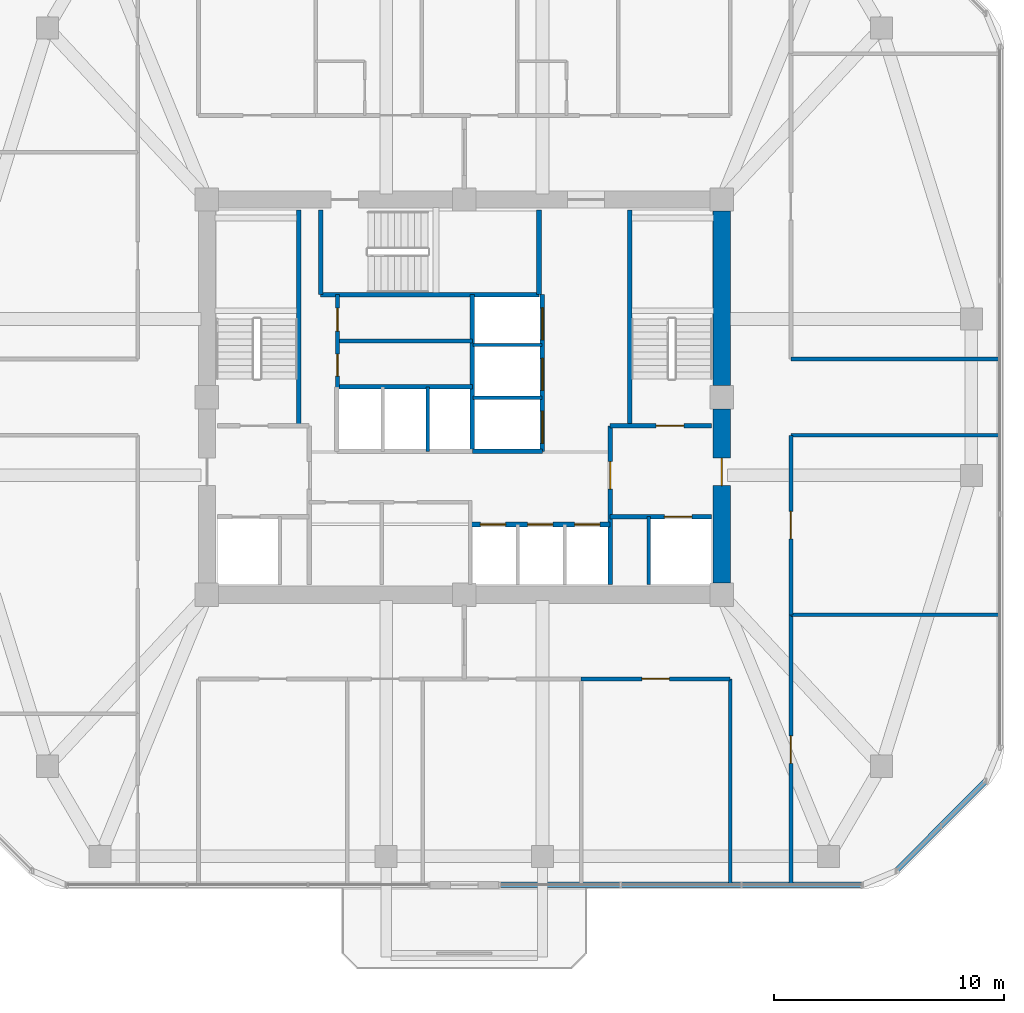
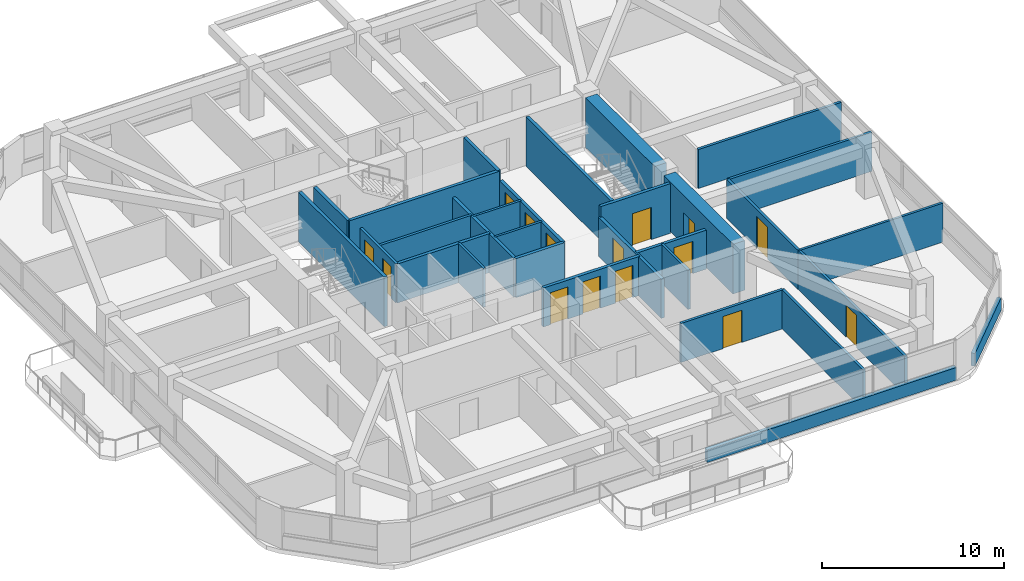
# One storey, part 8 of 12: 30 walls, 15 doors, 15 openings.
"""IFC4 building model written with IfcOpenShell, lengths in metres."""

from ifc_helpers import new_model, si_unit, derived_unit, direction, frame, frame_2d, origin, place, context, subcontext, project, spatial, rectangle, extrude, material, layer, layer_set, type_object, element, fill, save


model = new_model("IFC4")

# Units and contexts
model_context = context("Model", 3, precision=1e-05, world=origin(), true_north=direction((0.0, 1.0)))
body_context = subcontext(model_context, "Body", "Model", "MODEL_VIEW")
ifc_project = project(units=[si_unit("LENGTHUNIT", "METRE"), si_unit("AREAUNIT", "SQUARE_METRE"), si_unit("VOLUMEUNIT", "CUBIC_METRE"), si_unit("PLANEANGLEUNIT", "RADIAN"), si_unit("MASSUNIT", "GRAM", prefix="KILO"), derived_unit("THERMALTRANSMITTANCEUNIT", [(si_unit("POWERUNIT", "WATT"), 1), (si_unit("LENGTHUNIT", "METRE"), -2), (si_unit("THERMODYNAMICTEMPERATUREUNIT", "KELVIN"), -1)])], contexts=[model_context])

# Site, building, storey
site_placement = place(None, origin())
site = spatial("IfcSite", under=ifc_project, at=site_placement, CompositionType="ELEMENT")
building_placement = place(site_placement, origin())
building = spatial("IfcBuilding", under=site, at=building_placement, Name="Koralith Skygarden Medical Center", CompositionType="ELEMENT")
storey_placement = place(building_placement, frame((0.0, 0.0, 134.820068359375)))
storey = spatial("IfcBuildingStorey", under=building, at=storey_placement, Name="L34", CompositionType="ELEMENT", Elevation=134.820068359375)

# Walls
ifc_material_1 = material(Name="Gypsum Board Partition")
ifc_layer_1 = layer(ifc_material_1, 0.14990234375)
ifc_layer_set_1 = layer_set([ifc_layer_1], Name="Gypsum Board Partition")
wall_type_1 = type_object("IfcWallType", Name="Clinical Acoustic Partition 150", PredefinedType="PARTITIONING", material=ifc_layer_set_1)
wall_1_placement = place(storey_placement, frame((51.2099609375, 16.424072265625, 0.0), z_axis=(0.0, 0.0, 1.0), x_axis=(1.0, 0.0, 0.0)))
element("IfcWall", 1, at=wall_1_placement, inside=storey, type_object=wall_type_1, Name="L34 Clinical Acoustic Partition 150 W-PART-L34-ES-01", PredefinedType="PARTITIONING", context=body_context, shape_type="SweptSolid", body=[
    extrude(rectangle(XDim=9.073974609375, YDim=0.14990234375, at=frame_2d((4.537109375, 0.0))), origin(), (0.0, 0.0, 1.0), 2.60986328125),
])
ifc_layer_2 = layer(ifc_material_1, 0.1650390625)
ifc_layer_set_2 = layer_set([ifc_layer_2], Name="Gypsum Board Partition")
wall_type_2 = type_object("IfcWallType", Name="Clinical Corridor Partition 165", PredefinedType="PARTITIONING", material=ifc_layer_set_2)
wall_2_placement = place(storey_placement, frame((48.570068359375, 4.699951171875, 0.0), z_axis=(0.0, 0.0, 1.0), x_axis=(0.0, 1.0, 0.0)))
element("IfcWall", 2, at=wall_2_placement, inside=storey, type_object=wall_type_2, Name="L34 Clinical Corridor Partition 165 W-HCOR-L34-SE", PredefinedType="PARTITIONING", context=body_context, shape_type="SweptSolid", body=[
    extrude(rectangle(XDim=8.93994140625, YDim=0.1650390625, at=frame_2d((4.469970703125, 0.0))), origin(), (0.0, 0.0, 1.0), 2.60986328125),
])
for number, where, z_axis, x_axis, name in (
    (3, (51.2099609375, 24.239990234375, 0.0), (0.0, 0.0, 1.0), (1.0, 0.0, 0.0), "L34 Clinical Corridor Partition 165 W-HCOR-L34-EWS-E"),
    (4, (51.2099609375, 27.56005859375, 0.0), (0.0, 0.0, 1.0), (1.0, 0.0, 0.0), "L34 Clinical Corridor Partition 165 W-HCOR-L34-EWN-E"),
):
    element("IfcWall", number, at=place(storey_placement, frame(where, z_axis=z_axis, x_axis=x_axis)), inside=storey, type_object=wall_type_2, Name=name, PredefinedType="PARTITIONING", context=body_context, shape_type="SweptSolid", body=[
        extrude(rectangle(XDim=9.073974609375, YDim=0.1650390625, at=frame_2d((4.537109375, 0.0))), origin(), (0.0, 0.0, 1.0), 2.60986328125),
    ])

# Wall, opening, door
wall_3_placement = place(storey_placement, frame((42.0859375, 13.639892578125, 0.0), z_axis=(0.0, 0.0, 1.0), x_axis=(1.0, 0.0, 0.0)))
wall_3 = element("IfcWall", 5, at=wall_3_placement, inside=storey, type_object=wall_type_2, Name="L34 Clinical Corridor Partition 165 W-CORR-L34-S-04", PredefinedType="PARTITIONING", context=body_context, shape_type="SweptSolid", body=[
    extrude(rectangle(XDim=6.484130859375, YDim=0.1650390625, at=frame_2d((3.2421875, 0.0))), origin(), (0.0, 0.0, 1.0), 2.60986328125),
])
opening_1_placement = place(wall_3_placement, frame((2.64208984375, 0.0, 0.0)))
opening_1 = element("IfcOpeningElement", 6, at=opening_1_placement, cuts=wall_3, Name="Opening D-CLN", PredefinedType="OPENING", context=body_context, shape_type="SweptSolid", body=[
    extrude(rectangle(XDim=1.199951171875, YDim=2.14990234375, at=frame_2d((0.60009765625, 1.074951171875))), frame((0.0, 0.092529296875, 0.0), z_axis=(0.0, -1.0, 0.0), x_axis=(1.0, 0.0, 0.0)), (0.0, 0.0, 1.0), 0.18505859375),
])
ifc_material_2 = material(Name="Aluminium 6063-T6", Category="aluminium")
door_type_1 = type_object("IfcDoorType", Name="Clinical Corridor Door D-CLN 1200", OperationType="NOTDEFINED", PredefinedType="DOOR", material=ifc_material_2)
door_1_placement = place(opening_1_placement, frame((1.199951171875, 0.0, 0.0), z_axis=(0.0, 0.0, 1.0), x_axis=(-1.0, 0.0, 0.0)))
door_1 = element("IfcDoor", 7, at=door_1_placement, inside=storey, type_object=door_type_1, Name="L34 Wound Care Treatment Room 09 Door", OperationType="SINGLE_SWING_RIGHT", OverallHeight=2.14990234375, OverallWidth=1.199951171875, PredefinedType="DOOR", context=body_context, shape_type="SweptSolid", body=[
    extrude(rectangle(XDim=1.199951171875, YDim=2.14990234375, at=frame_2d((0.60009765625, 1.074951171875))), frame((0.0, 0.02490234375, 0.0), z_axis=(0.0, -1.0, 0.0), x_axis=(1.0, 0.0, 0.0)), (0.0, 0.0, 1.0), 0.050048828125),
])
fill(opening_1, door_1)

wall_4_placement = place(storey_placement, frame((51.2099609375, 4.699951171875, 0.0), z_axis=(0.0, 0.0, 1.0), x_axis=(0.0, 1.0, 0.0)))
wall_4 = element("IfcWall", 8, at=wall_4_placement, inside=storey, type_object=wall_type_2, Name="L34 Clinical Corridor Partition 165 W-CORR-L34-ES-01", PredefinedType="PARTITIONING", context=body_context, shape_type="SweptSolid", body=[
    extrude(rectangle(XDim=11.72412109375, YDim=0.1650390625, at=frame_2d((5.862060546875, 0.0))), origin(), (0.0, 0.0, 1.0), 2.60986328125),
])
opening_2_placement = place(wall_4_placement, frame((5.261962890625, 0.0, 0.0)))
opening_2 = element("IfcOpeningElement", 9, at=opening_2_placement, cuts=wall_4, Name="Opening D-CLN", PredefinedType="OPENING", context=body_context, shape_type="SweptSolid", body=[
    extrude(rectangle(XDim=1.199951171875, YDim=2.14990234375, at=frame_2d((0.60009765625, 1.074951171875))), frame((0.0, 0.092529296875, 0.0), z_axis=(0.0, -1.0, 0.0), x_axis=(1.0, 0.0, 0.0)), (0.0, 0.0, 1.0), 0.18505859375),
])
door_2_placement = place(opening_2_placement, origin())
door_2 = element("IfcDoor", 10, at=door_2_placement, inside=storey, type_object=door_type_1, Name="L34 Acute Nurse Station 14 Door", OperationType="SINGLE_SWING_LEFT", OverallHeight=2.14990234375, OverallWidth=1.199951171875, PredefinedType="DOOR", context=body_context, shape_type="SweptSolid", body=[
    extrude(rectangle(XDim=1.199951171875, YDim=2.14990234375, at=frame_2d((0.60009765625, 1.074951171875))), frame((0.0, 0.02490234375, 0.0), z_axis=(0.0, -1.0, 0.0), x_axis=(1.0, 0.0, 0.0)), (0.0, 0.0, 1.0), 0.050048828125),
])
fill(opening_2, door_2)

wall_5_placement = place(storey_placement, frame((51.2099609375, 16.424072265625, 0.0), z_axis=(0.0, 0.0, 1.0), x_axis=(0.0, 1.0, 0.0)))
wall_5 = element("IfcWall", 11, at=wall_5_placement, inside=storey, type_object=wall_type_2, Name="L34 Clinical Corridor Partition 165 W-CORR-L34-ES-02", PredefinedType="PARTITIONING", context=body_context, shape_type="SweptSolid", body=[
    extrude(rectangle(XDim=7.81591796875, YDim=0.1650390625, at=frame_2d((3.907958984375, 0.0))), origin(), (0.0, 0.0, 1.0), 2.60986328125),
])
opening_3_placement = place(wall_5_placement, frame((3.30810546875, 0.0, 0.0)))
opening_3 = element("IfcOpeningElement", 12, at=opening_3_placement, cuts=wall_5, Name="Opening D-CLN", PredefinedType="OPENING", context=body_context, shape_type="SweptSolid", body=[
    extrude(rectangle(XDim=1.199951171875, YDim=2.14990234375, at=frame_2d((0.60009765625, 1.074951171875))), frame((0.0, 0.092529296875, 0.0), z_axis=(0.0, -1.0, 0.0), x_axis=(1.0, 0.0, 0.0)), (0.0, 0.0, 1.0), 0.18505859375),
])
door_3_placement = place(opening_3_placement, origin())
door_3 = element("IfcDoor", 13, at=door_3_placement, inside=storey, type_object=door_type_1, Name="L34 Clinical Consultation Office 15 Door", OperationType="SINGLE_SWING_RIGHT", OverallHeight=2.14990234375, OverallWidth=1.199951171875, PredefinedType="DOOR", context=body_context, shape_type="SweptSolid", body=[
    extrude(rectangle(XDim=1.199951171875, YDim=2.14990234375, at=frame_2d((0.60009765625, 1.074951171875))), frame((0.0, 0.02490234375, 0.0), z_axis=(0.0, -1.0, 0.0), x_axis=(1.0, 0.0, 0.0)), (0.0, 0.0, 1.0), 0.050048828125),
])
fill(opening_3, door_3)

ifc_layer_3 = layer(ifc_material_1, 0.199951171875)
ifc_layer_set_3 = layer_set([ifc_layer_3], Name="Gypsum Board Partition")
wall_type_3 = type_object("IfcWallType", Name="Fire Shaft Wall 200", PredefinedType="SOLIDWALL", material=ifc_layer_set_3)
wall_6_placement = place(storey_placement, frame((43.35009765625, 20.699951171875, 0.0), z_axis=(0.0, 0.0, 1.0), x_axis=(1.0, 0.0, 0.0)))
wall_6 = element("IfcWall", 14, at=wall_6_placement, inside=storey, type_object=wall_type_3, Name="L34 Fire Shaft Wall 200 W-CORE-L34-FF2-N", PredefinedType="SOLIDWALL", context=body_context, shape_type="SweptSolid", body=[
    extrude(rectangle(XDim=4.39990234375, YDim=0.199951171875, at=frame_2d((2.199951171875, 0.0))), origin(), (0.0, 0.0, 1.0), 2.60986328125),
])
opening_4_placement = place(wall_6_placement, frame((2.35009765625, 0.0, 0.0)))
opening_4 = element("IfcOpeningElement", 15, at=opening_4_placement, cuts=wall_6, Name="Opening LD-FF", PredefinedType="OPENING", context=body_context, shape_type="SweptSolid", body=[
    extrude(rectangle(XDim=1.199951171875, YDim=2.14990234375, at=frame_2d((0.60009765625, 1.074951171875))), frame((0.0, 0.10986328125, 0.0), z_axis=(0.0, -1.0, 0.0), x_axis=(1.0, 0.0, 0.0)), (0.0, 0.0, 1.0), 0.219970703125),
])
ifc_material_3 = material(Name="Steel ASTM A500 Grade C", Category="steel")
door_type_2 = type_object("IfcDoorType", Name="Fire Lift Sliding Landing Door LD-FF 1200", OperationType="NOTDEFINED", PredefinedType="DOOR", material=ifc_material_3)
door_4_placement = place(opening_4_placement, origin())
door_4 = element("IfcDoor", 16, at=door_4_placement, inside=storey, type_object=door_type_2, Name="L34 Fire Service Elevator FF2 Landing Door", OperationType="SLIDING_TO_RIGHT", OverallHeight=2.14990234375, OverallWidth=1.199951171875, PredefinedType="DOOR", context=body_context, shape_type="SweptSolid", body=[
    extrude(rectangle(XDim=1.199951171875, YDim=2.14990234375, at=frame_2d((0.60009765625, 1.074951171875))), frame((0.0, 0.02490234375, 0.0), z_axis=(0.0, -1.0, 0.0), x_axis=(1.0, 0.0, 0.0)), (0.0, 0.0, 1.0), 0.050048828125),
])
fill(opening_4, door_4)

wall_7_placement = place(storey_placement, frame((43.35009765625, 17.75, 0.0), z_axis=(0.0, 0.0, 1.0), x_axis=(0.0, 1.0, 0.0)))
wall_7 = element("IfcWall", 17, at=wall_7_placement, inside=storey, type_object=wall_type_3, Name="L34 Fire Shaft Wall 200 W-CORE-L34-FSAEE-W", PredefinedType="SOLIDWALL", context=body_context, shape_type="SweptSolid", body=[
    extrude(rectangle(XDim=6.89990234375, YDim=0.199951171875, at=frame_2d((3.449951171875, 0.0))), origin(), (0.0, 0.0, 1.0), 2.60986328125),
])
opening_5_placement = place(wall_7_placement, frame((4.14990234375, 0.0, 0.0)))
opening_5 = element("IfcOpeningElement", 18, at=opening_5_placement, cuts=wall_7, Name="Opening D-ST60", PredefinedType="OPENING", context=body_context, shape_type="SweptSolid", body=[
    extrude(rectangle(XDim=1.199951171875, YDim=2.14990234375, at=frame_2d((0.60009765625, 1.074951171875))), frame((0.0, 0.10986328125, 0.0), z_axis=(0.0, -1.0, 0.0), x_axis=(1.0, 0.0, 0.0)), (0.0, 0.0, 1.0), 0.219970703125),
])
door_type_3 = type_object("IfcDoorType", Name="Smokeproof Stair Fire Door FD60S 1200", OperationType="NOTDEFINED", PredefinedType="DOOR", material=ifc_material_3)
door_5_placement = place(opening_5_placement, frame((1.199951171875, 0.0, 0.0), z_axis=(0.0, 0.0, 1.0), x_axis=(-1.0, 0.0, 0.0)))
door_5 = element("IfcDoor", 19, at=door_5_placement, inside=storey, type_object=door_type_3, Name="L34 East Firefighting Lobby Inner Fire Door", OperationType="SINGLE_SWING_RIGHT", OverallHeight=2.14990234375, OverallWidth=1.199951171875, PredefinedType="DOOR", context=body_context, shape_type="SweptSolid", body=[
    extrude(rectangle(XDim=1.199951171875, YDim=2.14990234375, at=frame_2d((0.60009765625, 1.074951171875))), frame((0.0, 0.02490234375, 0.0), z_axis=(0.0, -1.0, 0.0), x_axis=(1.0, 0.0, 0.0)), (0.0, 0.0, 1.0), 0.050048828125),
])
fill(opening_5, door_5)

# Wall, openings, doors
wall_8_placement = place(storey_placement, frame((37.25, 20.360107421875, 0.0), z_axis=(0.0, 0.0, 1.0), x_axis=(1.0, 0.0, 0.0)))
wall_8 = element("IfcWall", 20, at=wall_8_placement, inside=storey, type_object=wall_type_3, Name="L34 Fire Shaft Wall 200 W-CORE-L34-PM-N", PredefinedType="SOLIDWALL", context=body_context, shape_type="SweptSolid", body=[
    extrude(rectangle(XDim=6.10009765625, YDim=0.199951171875, at=frame_2d((3.050048828125, 0.0))), origin(), (0.0, 0.0, 1.0), 2.60986328125),
])
opening_6_placement = place(wall_8_placement, frame((0.449951171875, 0.0, 0.0)))
opening_6 = element("IfcOpeningElement", 21, at=opening_6_placement, cuts=wall_8, Name="Opening LD-P", PredefinedType="OPENING", context=body_context, shape_type="SweptSolid", body=[
    extrude(rectangle(XDim=1.10009765625, YDim=2.14990234375, at=frame_2d((0.550048828125, 1.074951171875))), frame((0.0, 0.10986328125, 0.0), z_axis=(0.0, -1.0, 0.0), x_axis=(1.0, 0.0, 0.0)), (0.0, 0.0, 1.0), 0.219970703125),
])
opening_7_placement = place(wall_8_placement, frame((2.5, 0.0, 0.0)))
opening_7 = element("IfcOpeningElement", 22, at=opening_7_placement, cuts=wall_8, Name="Opening LD-P", PredefinedType="OPENING", context=body_context, shape_type="SweptSolid", body=[
    extrude(rectangle(XDim=1.10009765625, YDim=2.14990234375, at=frame_2d((0.550048828125, 1.074951171875))), frame((0.0, 0.10986328125, 0.0), z_axis=(0.0, -1.0, 0.0), x_axis=(1.0, 0.0, 0.0)), (0.0, 0.0, 1.0), 0.219970703125),
])
opening_8_placement = place(wall_8_placement, frame((4.550048828125, 0.0, 0.0)))
opening_8 = element("IfcOpeningElement", 23, at=opening_8_placement, cuts=wall_8, Name="Opening LD-P", PredefinedType="OPENING", context=body_context, shape_type="SweptSolid", body=[
    extrude(rectangle(XDim=1.10009765625, YDim=2.14990234375, at=frame_2d((0.550048828125, 1.074951171875))), frame((0.0, 0.10986328125, 0.0), z_axis=(0.0, -1.0, 0.0), x_axis=(1.0, 0.0, 0.0)), (0.0, 0.0, 1.0), 0.219970703125),
])
door_type_4 = type_object("IfcDoorType", Name="Passenger Lift Sliding Landing Door LD-P 1100", OperationType="NOTDEFINED", PredefinedType="DOOR", material=ifc_material_3)
door_6_placement = place(opening_6_placement, origin())
door_6 = element("IfcDoor", 24, at=door_6_placement, inside=storey, type_object=door_type_4, Name="L34 Passenger Elevator PM1 Landing Door", OperationType="SLIDING_TO_LEFT", OverallHeight=2.14990234375, OverallWidth=1.10009765625, PredefinedType="DOOR", context=body_context, shape_type="SweptSolid", body=[
    extrude(rectangle(XDim=1.10009765625, YDim=2.14990234375, at=frame_2d((0.550048828125, 1.074951171875))), frame((0.0, 0.02490234375, 0.0), z_axis=(0.0, -1.0, 0.0), x_axis=(1.0, 0.0, 0.0)), (0.0, 0.0, 1.0), 0.050048828125),
])
fill(opening_6, door_6)
door_7_placement = place(opening_7_placement, origin())
door_7 = element("IfcDoor", 25, at=door_7_placement, inside=storey, type_object=door_type_4, Name="L34 Passenger Elevator PM2 Landing Door", OperationType="SLIDING_TO_LEFT", OverallHeight=2.14990234375, OverallWidth=1.10009765625, PredefinedType="DOOR", context=body_context, shape_type="SweptSolid", body=[
    extrude(rectangle(XDim=1.10009765625, YDim=2.14990234375, at=frame_2d((0.550048828125, 1.074951171875))), frame((0.0, 0.02490234375, 0.0), z_axis=(0.0, -1.0, 0.0), x_axis=(1.0, 0.0, 0.0)), (0.0, 0.0, 1.0), 0.050048828125),
])
fill(opening_7, door_7)
door_8_placement = place(opening_8_placement, origin())
door_8 = element("IfcDoor", 26, at=door_8_placement, inside=storey, type_object=door_type_4, Name="L34 Passenger Elevator PM3 Landing Door", OperationType="SLIDING_TO_LEFT", OverallHeight=2.14990234375, OverallWidth=1.10009765625, PredefinedType="DOOR", context=body_context, shape_type="SweptSolid", body=[
    extrude(rectangle(XDim=1.10009765625, YDim=2.14990234375, at=frame_2d((0.550048828125, 1.074951171875))), frame((0.0, 0.02490234375, 0.0), z_axis=(0.0, -1.0, 0.0), x_axis=(1.0, 0.0, 0.0)), (0.0, 0.0, 1.0), 0.050048828125),
])
fill(opening_8, door_8)

# Walls
wall_9_placement = place(storey_placement, frame((31.449951171875, 26.35009765625, 0.0), z_axis=(0.0, 0.0, 1.0), x_axis=(1.0, 0.0, 0.0)))
element("IfcWall", 27, at=wall_9_placement, inside=storey, type_object=wall_type_3, Name="L34 Fire Shaft Wall 200 W-CORE-L34-PH-N", PredefinedType="SOLIDWALL", context=body_context, shape_type="SweptSolid", body=[
    extrude(rectangle(XDim=5.900146484375, YDim=0.199951171875, at=frame_2d((2.9501953125, 0.0))), origin(), (0.0, 0.0, 1.0), 2.60986328125),
])
wall_10_placement = place(storey_placement, frame((37.35009765625, 23.5400390625, 0.0), z_axis=(0.0, 0.0, 1.0), x_axis=(0.0, 1.0, 0.0)))
element("IfcWall", 28, at=wall_10_placement, inside=storey, type_object=wall_type_3, Name="L34 Fire Shaft Wall 200 W-CORE-L34-SV-W", PredefinedType="SOLIDWALL", context=body_context, shape_type="SweptSolid", body=[
    extrude(rectangle(XDim=6.820068359375, YDim=0.199951171875, at=frame_2d((3.41015625, 0.0))), origin(), (0.0, 0.0, 1.0), 2.60986328125),
])
wall_11_placement = place(storey_placement, frame((37.35009765625, 23.5400390625, 0.0), z_axis=(0.0, 0.0, 1.0), x_axis=(1.0, 0.0, 0.0)))
element("IfcWall", 29, at=wall_11_placement, inside=storey, type_object=wall_type_3, Name="L34 Fire Shaft Wall 200 W-CORE-L34-SV-S", PredefinedType="SOLIDWALL", context=body_context, shape_type="SweptSolid", body=[
    extrude(rectangle(XDim=3.0498046875, YDim=0.199951171875, at=frame_2d((1.52490234375, 0.0))), origin(), (0.0, 0.0, 1.0), 2.60986328125),
])

# Wall, openings, doors
wall_12_placement = place(storey_placement, frame((40.39990234375, 23.5400390625, 0.0), z_axis=(0.0, 0.0, 1.0), x_axis=(0.0, 1.0, 0.0)))
wall_12 = element("IfcWall", 30, at=wall_12_placement, inside=storey, type_object=wall_type_3, Name="L34 Fire Shaft Wall 200 W-CORE-L34-SV-E", PredefinedType="SOLIDWALL", context=body_context, shape_type="SweptSolid", body=[
    extrude(rectangle(XDim=6.820068359375, YDim=0.199951171875, at=frame_2d((3.41015625, 0.0))), origin(), (0.0, 0.0, 1.0), 2.60986328125),
])
opening_9_placement = place(wall_12_placement, frame((0.35009765625, 0.0, 0.0)))
opening_9 = element("IfcOpeningElement", 31, at=opening_9_placement, cuts=wall_12, Name="Opening LD-SV", PredefinedType="OPENING", context=body_context, shape_type="SweptSolid", body=[
    extrude(rectangle(XDim=1.39990234375, YDim=2.199951171875, at=frame_2d((0.699951171875, 1.10009765625))), frame((0.0, 0.10986328125, 0.0), z_axis=(0.0, -1.0, 0.0), x_axis=(1.0, 0.0, 0.0)), (0.0, 0.0, 1.0), 0.219970703125),
])
opening_10_placement = place(wall_12_placement, frame((2.64990234375, 0.0, 0.0)))
opening_10 = element("IfcOpeningElement", 32, at=opening_10_placement, cuts=wall_12, Name="Opening LD-SV", PredefinedType="OPENING", context=body_context, shape_type="SweptSolid", body=[
    extrude(rectangle(XDim=1.39990234375, YDim=2.199951171875, at=frame_2d((0.699951171875, 1.10009765625))), frame((0.0, 0.10986328125, 0.0), z_axis=(0.0, -1.0, 0.0), x_axis=(1.0, 0.0, 0.0)), (0.0, 0.0, 1.0), 0.219970703125),
])
opening_11_placement = place(wall_12_placement, frame((4.85009765625, 0.0, 0.0)))
opening_11 = element("IfcOpeningElement", 33, at=opening_11_placement, cuts=wall_12, Name="Opening LD-SV", PredefinedType="OPENING", context=body_context, shape_type="SweptSolid", body=[
    extrude(rectangle(XDim=1.39990234375, YDim=2.199951171875, at=frame_2d((0.699951171875, 1.10009765625))), frame((0.0, 0.10986328125, 0.0), z_axis=(0.0, -1.0, 0.0), x_axis=(1.0, 0.0, 0.0)), (0.0, 0.0, 1.0), 0.219970703125),
])
door_type_5 = type_object("IfcDoorType", Name="Bed Lift Sliding Landing Door LD-SV 1400", OperationType="NOTDEFINED", PredefinedType="DOOR", material=ifc_material_3)
door_9_placement = place(opening_9_placement, origin())
door_9 = element("IfcDoor", 34, at=door_9_placement, inside=storey, type_object=door_type_5, Name="L34 Bed Elevator BD1 Landing Door", OperationType="SLIDING_TO_LEFT", OverallHeight=2.199951171875, OverallWidth=1.39990234375, PredefinedType="DOOR", context=body_context, shape_type="SweptSolid", body=[
    extrude(rectangle(XDim=1.39990234375, YDim=2.199951171875, at=frame_2d((0.699951171875, 1.10009765625))), frame((0.0, 0.02490234375, 0.0), z_axis=(0.0, -1.0, 0.0), x_axis=(1.0, 0.0, 0.0)), (0.0, 0.0, 1.0), 0.050048828125),
])
fill(opening_9, door_9)
door_10_placement = place(opening_10_placement, origin())
door_10 = element("IfcDoor", 35, at=door_10_placement, inside=storey, type_object=door_type_5, Name="L34 Service Elevator BD2 Landing Door", OperationType="SLIDING_TO_LEFT", OverallHeight=2.199951171875, OverallWidth=1.39990234375, PredefinedType="DOOR", context=body_context, shape_type="SweptSolid", body=[
    extrude(rectangle(XDim=1.39990234375, YDim=2.199951171875, at=frame_2d((0.699951171875, 1.10009765625))), frame((0.0, 0.02490234375, 0.0), z_axis=(0.0, -1.0, 0.0), x_axis=(1.0, 0.0, 0.0)), (0.0, 0.0, 1.0), 0.050048828125),
])
fill(opening_10, door_10)
door_11_placement = place(opening_11_placement, origin())
door_11 = element("IfcDoor", 36, at=door_11_placement, inside=storey, type_object=door_type_5, Name="L34 Trauma Elevator TR1 Landing Door", OperationType="SLIDING_TO_RIGHT", OverallHeight=2.199951171875, OverallWidth=1.39990234375, PredefinedType="DOOR", context=body_context, shape_type="SweptSolid", body=[
    extrude(rectangle(XDim=1.39990234375, YDim=2.199951171875, at=frame_2d((0.699951171875, 1.10009765625))), frame((0.0, 0.02490234375, 0.0), z_axis=(0.0, -1.0, 0.0), x_axis=(1.0, 0.0, 0.0)), (0.0, 0.0, 1.0), 0.050048828125),
])
fill(opening_11, door_11)

# Walls
ifc_material_4 = material(Name="Warm Oolitic Limestone Cladding", Category="masonry")
ifc_layer_4 = layer(ifc_material_4, 0.239990234375)
ifc_layer_set_4 = layer_set([ifc_layer_4], Name="Warm Oolitic Limestone Cladding")
wall_type_4 = type_object("IfcWallType", Name="Limestone Spandrel Sill Backup Wall 240", PredefinedType="SOLIDWALL", material=ifc_layer_set_4)
wall_13_placement = place(storey_placement, frame((38.5390625, 4.679931640625, 0.0), z_axis=(0.0, 0.0, 1.0), x_axis=(1.0, 0.0, 0.0)))
element("IfcWall", 37, at=wall_13_placement, inside=storey, type_object=wall_type_4, Name="L34 Sill Spandrel S-R", PredefinedType="SOLIDWALL", context=body_context, shape_type="SweptSolid", body=[
    extrude(rectangle(XDim=15.7900390625, YDim=0.239990234375, at=frame_2d((7.89501953125, 0.0))), origin(), (0.0, 0.0, 1.0), 0.849853515625),
])
wall_14_placement = place(storey_placement, frame((55.780029296875, 5.281005859375, 0.0), z_axis=(0.0, 0.0, 1.0), x_axis=(0.707084777957, 0.707128783731, 0.0)))
element("IfcWall", 38, at=wall_14_placement, inside=storey, type_object=wall_type_4, Name="L34 Sill Spandrel SE", PredefinedType="SOLIDWALL", context=body_context, shape_type="SweptSolid", body=[
    extrude(rectangle(XDim=5.5478515625, YDim=0.239990234375, at=frame_2d((2.77392578125, 0.0))), origin(), (0.0, 0.0, 1.0), 0.849853515625),
])

# Wall, opening, door
ifc_material_5 = material(Name="Concrete C70/85", Category="concrete")
ifc_layer_5 = layer(ifc_material_5, 0.75)
ifc_layer_set_5 = layer_set([ifc_layer_5], Name="Concrete C70/85")
wall_type_5 = type_object("IfcWallType", Name="Mid Core Shear Wall 750", PredefinedType="SHEAR", material=ifc_layer_set_5)
wall_15_placement = place(storey_placement, frame((48.199951171875, 17.804931640625, 0.0), z_axis=(0.0, 0.0, 1.0), x_axis=(0.0, 1.0, 0.0)))
wall_15 = element("IfcWall", 39, at=wall_15_placement, inside=storey, type_object=wall_type_5, Name="L34 Core Shear Wall Segment 3", PredefinedType="SHEAR", context=body_context, shape_type="SweptSolid", body=[
    extrude(rectangle(XDim=7.590087890625, YDim=0.75, at=frame_2d((3.794921875, 0.0))), origin(), (0.0, 0.0, 1.0), 3.31982421875),
])
opening_12_placement = place(wall_15_placement, frame((4.2451171875, 0.0, 0.0)))
opening_12 = element("IfcOpeningElement", 40, at=opening_12_placement, cuts=wall_15, Name="Opening D-ST60", PredefinedType="OPENING", context=body_context, shape_type="SweptSolid", body=[
    extrude(rectangle(XDim=1.199951171875, YDim=2.14990234375, at=frame_2d((0.60009765625, 1.074951171875))), frame((0.0, 0.385009765625, 0.0), z_axis=(0.0, -1.0, 0.0), x_axis=(1.0, 0.0, 0.0)), (0.0, 0.0, 1.0), 0.77001953125),
])
door_12_placement = place(opening_12_placement, frame((1.199951171875, 0.0, 0.0), z_axis=(0.0, 0.0, 1.0), x_axis=(-1.0, 0.0, 0.0)))
door_12 = element("IfcDoor", 41, at=door_12_placement, inside=storey, type_object=door_type_3, Name="L34 East Corridor to Firefighting Lobby Door", OperationType="SINGLE_SWING_RIGHT", OverallHeight=2.14990234375, OverallWidth=1.199951171875, PredefinedType="DOOR", context=body_context, shape_type="SweptSolid", body=[
    extrude(rectangle(XDim=1.199951171875, YDim=2.14990234375, at=frame_2d((0.60009765625, 1.074951171875))), frame((0.0, 0.02490234375, 0.0), z_axis=(0.0, -1.0, 0.0), x_axis=(1.0, 0.0, 0.0)), (0.0, 0.0, 1.0), 0.050048828125),
])
fill(opening_12, door_12)

# Wall
wall_16_placement = place(storey_placement, frame((48.199951171875, 26.405029296875, 0.0), z_axis=(0.0, 0.0, 1.0), x_axis=(0.0, 1.0, 0.0)))
element("IfcWall", 42, at=wall_16_placement, inside=storey, type_object=wall_type_5, Name="L34 Core Shear Wall Segment 4", PredefinedType="SHEAR", context=body_context, shape_type="SweptSolid", body=[
    extrude(rectangle(XDim=7.590087890625, YDim=0.75, at=frame_2d((3.794921875, 0.0))), origin(), (0.0, 0.0, 1.0), 3.31982421875),
])

# Wall, openings, doors
ifc_layer_6 = layer(ifc_material_1, 0.1650390625)
ifc_layer_set_6 = layer_set([ifc_layer_6], Name="Gypsum Board Partition")
wall_type_6 = type_object("IfcWallType", Name="Plumbing Wet Wall 165", PredefinedType="PLUMBINGWALL", material=ifc_layer_set_6)
wall_17_placement = place(storey_placement, frame((31.47998046875, 26.320068359375, 0.0), z_axis=(0.0, 0.0, 1.0), x_axis=(0.0, 1.0, 0.0)))
wall_17 = element("IfcWall", 43, at=wall_17_placement, inside=storey, type_object=wall_type_6, Name="L34 Plumbing Wet Wall 165 W-CORE-L34-FLEX-W", PredefinedType="PLUMBINGWALL", context=body_context, shape_type="SweptSolid", body=[
    extrude(rectangle(XDim=4.0400390625, YDim=0.1650390625, at=frame_2d((2.02001953125, 0.0))), origin(), (0.0, 0.0, 1.0), 2.60986328125),
])
opening_13_placement = place(wall_17_placement, frame((0.5, 0.0, 0.0)))
opening_13 = element("IfcOpeningElement", 44, at=opening_13_placement, cuts=wall_17, Name="Opening D-WC", PredefinedType="OPENING", context=body_context, shape_type="SweptSolid", body=[
    extrude(rectangle(XDim=0.949951171875, YDim=2.10009765625, at=frame_2d((0.47509765625, 1.050048828125))), frame((0.0, 0.092529296875, 0.0), z_axis=(0.0, -1.0, 0.0), x_axis=(1.0, 0.0, 0.0)), (0.0, 0.0, 1.0), 0.18505859375),
])
opening_14_placement = place(wall_17_placement, frame((2.449951171875, 0.0, 0.0)))
opening_14 = element("IfcOpeningElement", 45, at=opening_14_placement, cuts=wall_17, Name="Opening D-SUP", PredefinedType="OPENING", context=body_context, shape_type="SweptSolid", body=[
    extrude(rectangle(XDim=1.0, YDim=2.14990234375, at=frame_2d((0.5, 1.074951171875))), frame((0.0, 0.092529296875, 0.0), z_axis=(0.0, -1.0, 0.0), x_axis=(1.0, 0.0, 0.0)), (0.0, 0.0, 1.0), 0.18505859375),
])
door_type_6 = type_object("IfcDoorType", Name="Accessible Toilet Door D-WC 950", OperationType="NOTDEFINED", PredefinedType="DOOR", material=ifc_material_2)
door_13_placement = place(opening_13_placement, frame((0.949951171875, 0.0, 0.0), z_axis=(0.0, 0.0, 1.0), x_axis=(-1.0, 0.0, 0.0)))
door_13 = element("IfcDoor", 46, at=door_13_placement, inside=storey, type_object=door_type_6, Name="L34 Core Accessible WC Door", OperationType="SINGLE_SWING_LEFT", OverallHeight=2.10009765625, OverallWidth=0.949951171875, PredefinedType="DOOR", context=body_context, shape_type="SweptSolid", body=[
    extrude(rectangle(XDim=0.949951171875, YDim=2.10009765625, at=frame_2d((0.47509765625, 1.050048828125))), frame((0.0, 0.02490234375, 0.0), z_axis=(0.0, -1.0, 0.0), x_axis=(1.0, 0.0, 0.0)), (0.0, 0.0, 1.0), 0.050048828125),
])
fill(opening_13, door_13)
door_type_7 = type_object("IfcDoorType", Name="Clinical Support Door D-SUP 1000", OperationType="NOTDEFINED", PredefinedType="DOOR", material=ifc_material_2)
door_14_placement = place(opening_14_placement, frame((1.0, 0.0, 0.0), z_axis=(0.0, 0.0, 1.0), x_axis=(-1.0, 0.0, 0.0)))
door_14 = element("IfcDoor", 47, at=door_14_placement, inside=storey, type_object=door_type_7, Name="L34 Core Clean Utility Door", OperationType="SINGLE_SWING_RIGHT", OverallHeight=2.14990234375, OverallWidth=1.0, PredefinedType="DOOR", context=body_context, shape_type="SweptSolid", body=[
    extrude(rectangle(XDim=1.0, YDim=2.14990234375, at=frame_2d((0.5, 1.074951171875))), frame((0.0, 0.02490234375, 0.0), z_axis=(0.0, -1.0, 0.0), x_axis=(1.0, 0.0, 0.0)), (0.0, 0.0, 1.0), 0.050048828125),
])
fill(opening_14, door_14)

# Walls
wall_18_placement = place(storey_placement, frame((31.47998046875, 28.340087890625, 0.0), z_axis=(0.0, 0.0, 1.0), x_axis=(1.0, 0.0, 0.0)))
element("IfcWall", 48, at=wall_18_placement, inside=storey, type_object=wall_type_6, Name="L34 Plumbing Wet Wall 165 W-CORE-L34-FLEX-H0", PredefinedType="PLUMBINGWALL", context=body_context, shape_type="SweptSolid", body=[
    extrude(rectangle(XDim=5.8701171875, YDim=0.1650390625, at=frame_2d((2.93505859375, 0.0))), origin(), (0.0, 0.0, 1.0), 2.60986328125),
])
ifc_layer_7 = layer(ifc_material_1, 0.14990234375)
ifc_layer_set_7 = layer_set([ifc_layer_7], Name="Gypsum Board Partition")
wall_type_7 = type_object("IfcWallType", Name="Shaft Partition Wall 150", PredefinedType="PARTITIONING", material=ifc_layer_set_7)
wall_19_placement = place(storey_placement, frame((45.02001953125, 17.75, 0.0), z_axis=(0.0, 0.0, 1.0), x_axis=(0.0, 1.0, 0.0)))
element("IfcWall", 49, at=wall_19_placement, inside=storey, type_object=wall_type_7, Name="L34 Shaft Partition Wall 150 W-CORE-L34-RSRE-DIV", PredefinedType="PARTITIONING", context=body_context, shape_type="SweptSolid", body=[
    extrude(rectangle(XDim=2.949951171875, YDim=0.14990234375, at=frame_2d((1.47509765625, 0.0))), origin(), (0.0, 0.0, 1.0), 2.60986328125),
])
wall_20_placement = place(storey_placement, frame((35.39990234375, 23.5400390625, 0.0), z_axis=(0.0, 0.0, 1.0), x_axis=(0.0, 1.0, 0.0)))
element("IfcWall", 50, at=wall_20_placement, inside=storey, type_object=wall_type_7, Name="L34 Shaft Partition Wall 150 W-CORE-L34-PH-D2", PredefinedType="PARTITIONING", context=body_context, shape_type="SweptSolid", body=[
    extrude(rectangle(XDim=2.81005859375, YDim=0.14990234375, at=frame_2d((1.405029296875, 0.0))), origin(), (0.0, 0.0, 1.0), 2.60986328125),
])
for number, where, z_axis, x_axis, name in (
    (51, (37.3701171875, 25.8701171875, 0.0), (0.0, 0.0, 1.0), (1.0, 0.0, 0.0), "L34 Shaft Partition Wall 150 W-CORE-L34-SV-D1"),
    (52, (37.3701171875, 28.169921875, 0.0), (0.0, 0.0, 1.0), (1.0, 0.0, 0.0), "L34 Shaft Partition Wall 150 W-CORE-L34-SV-D2"),
):
    element("IfcWall", number, at=place(storey_placement, frame(where, z_axis=z_axis, x_axis=x_axis)), inside=storey, type_object=wall_type_7, Name=name, PredefinedType="PARTITIONING", context=body_context, shape_type="SweptSolid", body=[
        extrude(rectangle(XDim=3.009765625, YDim=0.14990234375, at=frame_2d((1.5048828125, 0.0))), origin(), (0.0, 0.0, 1.0), 2.60986328125),
    ])
ifc_material_6 = material(Name="Concrete C45/55", Category="concrete")
ifc_layer_8 = layer(ifc_material_6, 0.199951171875)
ifc_layer_set_8 = layer_set([ifc_layer_8], Name="Concrete C45/55")
wall_type_8 = type_object("IfcWallType", Name="Structural Stair Shaft Wall 200", PredefinedType="SHEAR", material=ifc_layer_set_8)
for number, where, z_axis, x_axis, name in (
    (53, (29.800048828125, 24.64990234375, 0.0), (0.0, 0.0, 1.0), (0.0, 1.0, 0.0), "L34 Structural Stair Shaft Wall 200 W-CORE-L34-ST1-E"),
    (54, (44.199951171875, 24.64990234375, 0.0), (0.0, 0.0, 1.0), (0.0, 1.0, 0.0), "L34 Structural Stair Shaft Wall 200 W-CORE-L34-ST2-W"),
):
    element("IfcWall", number, at=place(storey_placement, frame(where, z_axis=z_axis, x_axis=x_axis)), inside=storey, type_object=wall_type_8, Name=name, PredefinedType="SHEAR", context=body_context, shape_type="SweptSolid", body=[
        extrude(rectangle(XDim=9.400146484375, YDim=0.199951171875, at=frame_2d((4.7001953125, 0.0))), origin(), (0.0, 0.0, 1.0), 3.31982421875),
    ])

# Wall, opening, door
wall_21_placement = place(storey_placement, frame((43.35009765625, 24.64990234375, 0.0), z_axis=(0.0, 0.0, 1.0), x_axis=(1.0, 0.0, 0.0)))
wall_21 = element("IfcWall", 55, at=wall_21_placement, inside=storey, type_object=wall_type_8, Name="L34 Structural Stair Shaft Wall 200 W-CORE-L34-ST2-S", PredefinedType="SHEAR", context=body_context, shape_type="SweptSolid", body=[
    extrude(rectangle(XDim=4.39990234375, YDim=0.199951171875, at=frame_2d((2.199951171875, 0.0))), origin(), (0.0, 0.0, 1.0), 3.31982421875),
])
opening_15_placement = place(wall_21_placement, frame((2.0, 0.0, 0.0)))
opening_15 = element("IfcOpeningElement", 56, at=opening_15_placement, cuts=wall_21, Name="Opening D-ST60", PredefinedType="OPENING", context=body_context, shape_type="SweptSolid", body=[
    extrude(rectangle(XDim=1.199951171875, YDim=2.14990234375, at=frame_2d((0.60009765625, 1.074951171875))), frame((0.0, 0.10986328125, 0.0), z_axis=(0.0, -1.0, 0.0), x_axis=(1.0, 0.0, 0.0)), (0.0, 0.0, 1.0), 0.219970703125),
])
door_15_placement = place(opening_15_placement, origin())
door_15 = element("IfcDoor", 57, at=door_15_placement, inside=storey, type_object=door_type_3, Name="L34 Exit Stair ST2 Fire Door", OperationType="SINGLE_SWING_RIGHT", OverallHeight=2.14990234375, OverallWidth=1.199951171875, PredefinedType="DOOR", context=body_context, shape_type="SweptSolid", body=[
    extrude(rectangle(XDim=1.199951171875, YDim=2.14990234375, at=frame_2d((0.60009765625, 1.074951171875))), frame((0.0, 0.02490234375, 0.0), z_axis=(0.0, -1.0, 0.0), x_axis=(1.0, 0.0, 0.0)), (0.0, 0.0, 1.0), 0.050048828125),
])
fill(opening_15, door_15)

# Walls
wall_22_placement = place(storey_placement, frame((30.75, 30.360107421875, 0.0), z_axis=(0.0, 0.0, 1.0), x_axis=(1.0, 0.0, 0.0)))
element("IfcWall", 58, at=wall_22_placement, inside=storey, type_object=wall_type_8, Name="L34 Structural Stair Shaft Wall 200 W-CORE-L34-ST3-S", PredefinedType="SHEAR", context=body_context, shape_type="SweptSolid", body=[
    extrude(rectangle(XDim=9.5, YDim=0.199951171875, at=frame_2d((4.75, 0.0))), origin(), (0.0, 0.0, 1.0), 3.31982421875),
])
for number, where, z_axis, x_axis, name in (
    (59, (30.75, 30.360107421875, 0.0), (0.0, 0.0, 1.0), (0.0, 1.0, 0.0), "L34 Structural Stair Shaft Wall 200 W-CORE-L34-ST3-W"),
    (60, (40.25, 30.360107421875, 0.0), (0.0, 0.0, 1.0), (0.0, 1.0, 0.0), "L34 Structural Stair Shaft Wall 200 W-CORE-L34-ST3-E"),
):
    element("IfcWall", number, at=place(storey_placement, frame(where, z_axis=z_axis, x_axis=x_axis)), inside=storey, type_object=wall_type_8, Name=name, PredefinedType="SHEAR", context=body_context, shape_type="SweptSolid", body=[
        extrude(rectangle(XDim=3.68994140625, YDim=0.199951171875, at=frame_2d((1.844970703125, 0.0))), origin(), (0.0, 0.0, 1.0), 3.31982421875),
    ])

save(model, "model.ifc")
